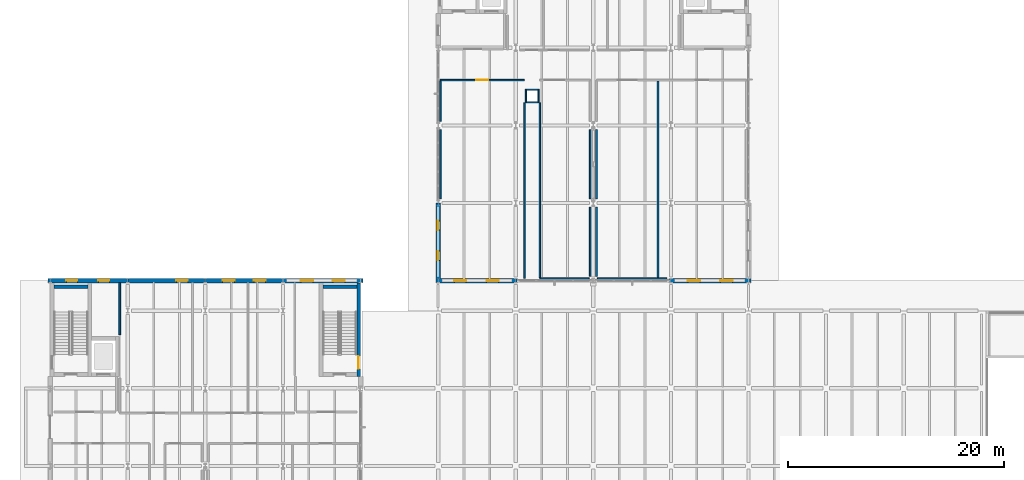
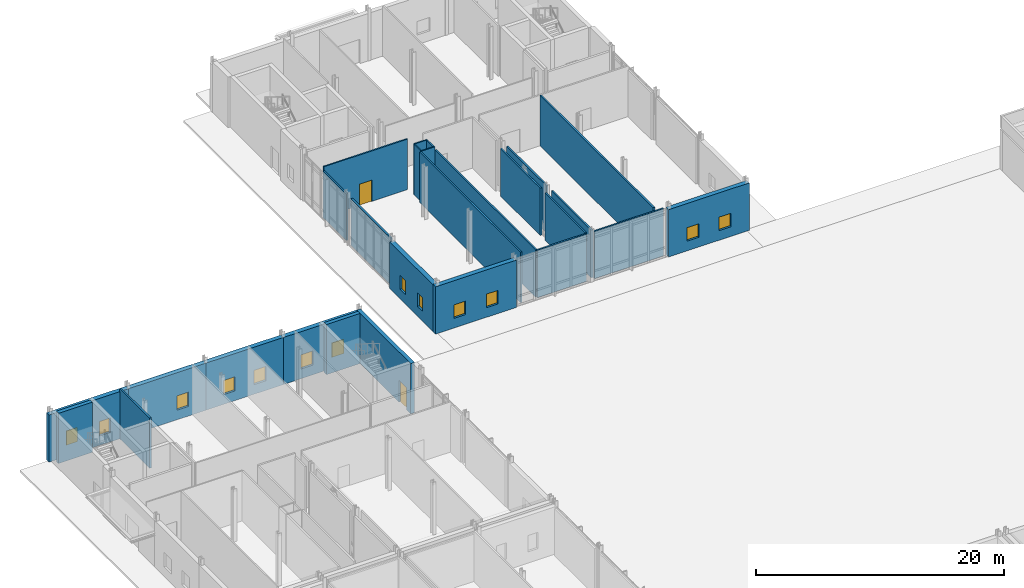
# One storey, part 67 of 89: 27 walls, 13 windows, 2 doors, 15 openings.
"""IFC4 building model written with IfcOpenShell, lengths in metres."""

from ifc_helpers import new_model, si_unit, direction, frame, frame_2d, origin, place, context, subcontext, project, spatial, rectangle, extrude, material, layer, layer_set, type_object, element, fill, save


model = new_model("IFC4")

# Units and contexts
model_context = context("Model", 3, precision=1e-05, world=origin(), true_north=direction((0.0, 1.0)))
body_context = subcontext(model_context, "Body", "Model", "MODEL_VIEW")
ifc_project = project(units=[si_unit("LENGTHUNIT", "METRE"), si_unit("AREAUNIT", "SQUARE_METRE"), si_unit("VOLUMEUNIT", "CUBIC_METRE"), si_unit("PLANEANGLEUNIT", "RADIAN"), si_unit("MASSUNIT", "GRAM", prefix="KILO")], contexts=[model_context])

# Site, building, storey
site_placement = place(None, origin())
site = spatial("IfcSite", under=ifc_project, at=site_placement, CompositionType="ELEMENT")
building_placement = place(site_placement, origin())
building = spatial("IfcBuilding", under=site, at=building_placement, Name="Zarrinpeak Specialist Clinic", CompositionType="ELEMENT")
storey_placement = place(building_placement, origin())
storey = spatial("IfcBuildingStorey", under=building, at=storey_placement, Name="L00", CompositionType="ELEMENT", Elevation=0.0)

# Walls
ifc_material_1 = material(Name="Concrete C40/50", Category="concrete")
ifc_layer_1 = layer(ifc_material_1, 0.35009765625)
ifc_layer_set_1 = layer_set([ifc_layer_1], Name="Concrete C40/50")
wall_type_1 = type_object("IfcWallType", Name="WL-CR350", PredefinedType="SHEAR", material=ifc_layer_set_1)
for number, where, z_axis, x_axis, name in (
    (1, (0.35009765625, 81.425048828125, 0.0), (0.0, 0.0, 1.0), (1.0, 0.0, 0.0), "L00 Core C09 Shear Wall STN"),
    (2, (25.300048828125, 81.425048828125, 0.0), (0.0, 0.0, 1.0), (1.0, 0.0, 0.0), "L00 Core C10 Shear Wall STN"),
):
    element("IfcWall", number, at=place(storey_placement, frame(where, z_axis=z_axis, x_axis=x_axis)), inside=storey, type_object=wall_type_1, Name=name, PredefinedType="SHEAR", context=body_context, shape_type="SweptSolid", body=[
        extrude(rectangle(XDim=3.14990234375, YDim=0.35009765625, at=frame_2d((1.574951171875, 0.0))), origin(), (0.0, 0.0, 1.0), 4.93994140625),
    ])

# Wall, opening, door
wall_1_placement = place(storey_placement, frame((28.625, 73.10009765625, 0.0), z_axis=(0.0, 0.0, 1.0), x_axis=(0.0, 1.0, 0.0)))
wall_1 = element("IfcWall", 3, at=wall_1_placement, inside=storey, type_object=wall_type_1, Name="L00 Core C10 Shear Wall STE", PredefinedType="SHEAR", context=body_context, shape_type="SweptSolid", body=[
    extrude(rectangle(XDim=8.68994140625, YDim=0.35009765625, at=frame_2d((4.344970703125, 0.0))), origin(), (0.0, 0.0, 1.0), 4.93994140625),
])
opening_1_placement = place(wall_1_placement, frame((0.699951171875, 0.0, 0.0)))
opening_1 = element("IfcOpeningElement", 4, at=opening_1_placement, cuts=wall_1, Name="Opening D-EX2", PredefinedType="OPENING", context=body_context, shape_type="SweptSolid", body=[
    extrude(rectangle(XDim=1.199951171875, YDim=2.14990234375, at=frame_2d((0.60009765625, 1.074951171875))), frame((0.0, 0.18505859375, 0.0), z_axis=(0.0, -1.0, 0.0), x_axis=(1.0, 0.0, 0.0)), (0.0, 0.0, 1.0), 0.3701171875),
])
ifc_material_2 = material(Name="Powder-Coated Steel and Safety Glazing", Category="steel")
door_type_1 = type_object("IfcDoorType", Name="DR-EX120", OperationType="SINGLE_SWING_LEFT", PredefinedType="DOOR", material=ifc_material_2)
door_1_placement = place(opening_1_placement, frame((1.199951171875, 0.0, 0.0), z_axis=(0.0, 0.0, 1.0), x_axis=(-1.0, 0.0, 0.0)))
door_1 = element("IfcDoor", 5, at=door_1_placement, inside=storey, type_object=door_type_1, Name="L00 Protected Stair ST-10 Final Exit Discharge Door ED-10", OperationType="SINGLE_SWING_LEFT", OverallHeight=2.14990234375, OverallWidth=1.199951171875, PredefinedType="DOOR", context=body_context, shape_type="SweptSolid", body=[
    extrude(rectangle(XDim=1.199951171875, YDim=2.14990234375, at=frame_2d((0.60009765625, 1.074951171875))), frame((0.0, 0.02490234375, 0.0), z_axis=(0.0, -1.0, 0.0), x_axis=(1.0, 0.0, 0.0)), (0.0, 0.0, 1.0), 0.050048828125),
])
fill(opening_1, door_1)

# Wall, openings, windows
ifc_material_3 = material(Name="Precast concrete C40/50", Category="concrete")
ifc_layer_2 = layer(ifc_material_3, 0.419921875)
ifc_layer_set_2 = layer_set([ifc_layer_2], Name="Precast concrete C40/50")
wall_type_2 = type_object("IfcWallType", Name="WL-EW420", PredefinedType="STANDARD", material=ifc_layer_set_2)
wall_2_placement = place(storey_placement, frame((7.199951171875, 82.0, 0.0), z_axis=(0.0, 0.0, 1.0), x_axis=(-1.0, 0.0, 0.0)))
wall_2 = element("IfcWall", 6, at=wall_2_placement, inside=storey, type_object=wall_type_2, Name="L00 V5 Exterior GRC Wall EW-L00-V5-0215", PredefinedType="STANDARD", context=body_context, shape_type="SweptSolid", body=[
    extrude(rectangle(XDim=7.409912109375, YDim=0.419921875, at=frame_2d((3.705078125, 0.0))), origin(), (0.0, 0.0, 1.0), 4.635009765625),
])
opening_2_placement = place(wall_2_placement, frame((1.7080078125, 0.0, 0.949951171875)))
opening_2 = element("IfcOpeningElement", 7, at=opening_2_placement, cuts=wall_2, Name="Opening WS-58", PredefinedType="OPENING", context=body_context, shape_type="SweptSolid", body=[
    extrude(rectangle(XDim=1.030029296875, YDim=1.404052734375, at=frame_2d((0.51513671875, 0.7021484375))), frame((0.0, 0.219970703125, 0.0), z_axis=(0.0, -1.0, 0.0), x_axis=(1.0, 0.0, 0.0)), (0.0, 0.0, 1.0), 0.43994140625),
])
opening_3_placement = place(wall_2_placement, frame((4.672119140625, 0.0, 0.949951171875)))
opening_3 = element("IfcOpeningElement", 8, at=opening_3_placement, cuts=wall_2, Name="Opening WS-58", PredefinedType="OPENING", context=body_context, shape_type="SweptSolid", body=[
    extrude(rectangle(XDim=1.030029296875, YDim=1.404052734375, at=frame_2d((0.51513671875, 0.7021484375))), frame((0.0, 0.219970703125, 0.0), z_axis=(0.0, -1.0, 0.0), x_axis=(1.0, 0.0, 0.0)), (0.0, 0.0, 1.0), 0.43994140625),
])
ifc_material_4 = material(Name="Thermally Broken Aluminium and Low-E Glazing", Category="aluminium")
window_type_1 = type_object("IfcWindowType", Name="WN-SP58", PartitioningType="SINGLE_PANEL", PredefinedType="WINDOW", material=ifc_material_4)
window_1_placement = place(opening_2_placement, origin())
window_1 = element("IfcWindow", 9, at=window_1_placement, inside=storey, type_object=window_type_1, Name="L00 Modular Facade Window WN-L00-0249", OverallHeight=1.404052734375, OverallWidth=1.030029296875, PartitioningType="SINGLE_PANEL", PredefinedType="WINDOW", context=body_context, shape_type="SweptSolid", body=[
    extrude(rectangle(XDim=1.030029296875, YDim=1.404052734375, at=frame_2d((0.51513671875, 0.7021484375))), frame((0.0, 0.030029296875, 0.0), z_axis=(0.0, -1.0, 0.0), x_axis=(1.0, 0.0, 0.0)), (0.0, 0.0, 1.0), 0.06005859375),
])
fill(opening_2, window_1)
window_2_placement = place(opening_3_placement, origin())
window_2 = element("IfcWindow", 10, at=window_2_placement, inside=storey, type_object=window_type_1, Name="L00 Modular Facade Window WN-L00-0250", OverallHeight=1.404052734375, OverallWidth=1.030029296875, PartitioningType="SINGLE_PANEL", PredefinedType="WINDOW", context=body_context, shape_type="SweptSolid", body=[
    extrude(rectangle(XDim=1.030029296875, YDim=1.404052734375, at=frame_2d((0.51513671875, 0.7021484375))), frame((0.0, 0.030029296875, 0.0), z_axis=(0.0, -1.0, 0.0), x_axis=(1.0, 0.0, 0.0)), (0.0, 0.0, 1.0), 0.06005859375),
])
fill(opening_3, window_2)

# Wall, opening, window
wall_3_placement = place(storey_placement, frame((14.39990234375, 82.0, 0.0), z_axis=(0.0, 0.0, 1.0), x_axis=(-1.0, 0.0, 0.0)))
wall_3 = element("IfcWall", 11, at=wall_3_placement, inside=storey, type_object=wall_type_2, Name="L00 V5 Exterior GRC Wall EW-L00-V5-0216", PredefinedType="STANDARD", context=body_context, shape_type="SweptSolid", body=[
    extrude(rectangle(XDim=7.199951171875, YDim=0.419921875, at=frame_2d((3.60009765625, 0.0))), origin(), (0.0, 0.0, 1.0), 4.635009765625),
])
opening_4_placement = place(wall_3_placement, frame((1.6279296875, 0.0, 0.949951171875)))
opening_4 = element("IfcOpeningElement", 12, at=opening_4_placement, cuts=wall_3, Name="Opening WS-59", PredefinedType="OPENING", context=body_context, shape_type="SweptSolid", body=[
    extrude(rectangle(XDim=1.06396484375, YDim=1.404052734375, at=frame_2d((0.531982421875, 0.7021484375))), frame((0.0, 0.219970703125, 0.0), z_axis=(0.0, -1.0, 0.0), x_axis=(1.0, 0.0, 0.0)), (0.0, 0.0, 1.0), 0.43994140625),
])
window_type_2 = type_object("IfcWindowType", Name="WN-SP59", PartitioningType="SINGLE_PANEL", PredefinedType="WINDOW", material=ifc_material_4)
window_3_placement = place(opening_4_placement, origin())
window_3 = element("IfcWindow", 13, at=window_3_placement, inside=storey, type_object=window_type_2, Name="L00 Modular Facade Window WN-L00-0251", OverallHeight=1.404052734375, OverallWidth=1.06396484375, PartitioningType="SINGLE_PANEL", PredefinedType="WINDOW", context=body_context, shape_type="SweptSolid", body=[
    extrude(rectangle(XDim=1.06396484375, YDim=1.404052734375, at=frame_2d((0.531982421875, 0.7021484375))), frame((0.0, 0.030029296875, 0.0), z_axis=(0.0, -1.0, 0.0), x_axis=(1.0, 0.0, 0.0)), (0.0, 0.0, 1.0), 0.06005859375),
])
fill(opening_4, window_3)

# Wall, openings, windows
wall_4_placement = place(storey_placement, frame((21.60009765625, 82.0, 0.0), z_axis=(0.0, 0.0, 1.0), x_axis=(-1.0, 0.0, 0.0)))
wall_4 = element("IfcWall", 14, at=wall_4_placement, inside=storey, type_object=wall_type_2, Name="L00 V5 Exterior GRC Wall EW-L00-V5-0217", PredefinedType="STANDARD", context=body_context, shape_type="SweptSolid", body=[
    extrude(rectangle(XDim=7.2001953125, YDim=0.419921875, at=frame_2d((3.60009765625, 0.0))), origin(), (0.0, 0.0, 1.0), 4.635009765625),
])
opening_5_placement = place(wall_4_placement, frame((1.611083984375, 0.0, 0.949951171875)))
opening_5 = element("IfcOpeningElement", 15, at=opening_5_placement, cuts=wall_4, Name="Opening WS-60", PredefinedType="OPENING", context=body_context, shape_type="SweptSolid", body=[
    extrude(rectangle(XDim=1.097900390625, YDim=1.404052734375, at=frame_2d((0.548828125, 0.7021484375))), frame((0.0, 0.219970703125, 0.0), z_axis=(0.0, -1.0, 0.0), x_axis=(1.0, 0.0, 0.0)), (0.0, 0.0, 1.0), 0.43994140625),
])
opening_6_placement = place(wall_4_placement, frame((4.490966796875, 0.0, 0.949951171875)))
opening_6 = element("IfcOpeningElement", 16, at=opening_6_placement, cuts=wall_4, Name="Opening WS-60", PredefinedType="OPENING", context=body_context, shape_type="SweptSolid", body=[
    extrude(rectangle(XDim=1.097900390625, YDim=1.404052734375, at=frame_2d((0.548828125, 0.7021484375))), frame((0.0, 0.219970703125, 0.0), z_axis=(0.0, -1.0, 0.0), x_axis=(1.0, 0.0, 0.0)), (0.0, 0.0, 1.0), 0.43994140625),
])
window_type_3 = type_object("IfcWindowType", Name="WN-SP60", PartitioningType="SINGLE_PANEL", PredefinedType="WINDOW", material=ifc_material_4)
window_4_placement = place(opening_5_placement, origin())
window_4 = element("IfcWindow", 17, at=window_4_placement, inside=storey, type_object=window_type_3, Name="L00 Modular Facade Window WN-L00-0252", OverallHeight=1.404052734375, OverallWidth=1.097900390625, PartitioningType="SINGLE_PANEL", PredefinedType="WINDOW", context=body_context, shape_type="SweptSolid", body=[
    extrude(rectangle(XDim=1.097900390625, YDim=1.404052734375, at=frame_2d((0.548828125, 0.7021484375))), frame((0.0, 0.030029296875, 0.0), z_axis=(0.0, -1.0, 0.0), x_axis=(1.0, 0.0, 0.0)), (0.0, 0.0, 1.0), 0.06005859375),
])
fill(opening_5, window_4)
window_5_placement = place(opening_6_placement, origin())
window_5 = element("IfcWindow", 18, at=window_5_placement, inside=storey, type_object=window_type_3, Name="L00 Modular Facade Window WN-L00-0253", OverallHeight=1.404052734375, OverallWidth=1.097900390625, PartitioningType="SINGLE_PANEL", PredefinedType="WINDOW", context=body_context, shape_type="SweptSolid", body=[
    extrude(rectangle(XDim=1.097900390625, YDim=1.404052734375, at=frame_2d((0.548828125, 0.7021484375))), frame((0.0, 0.030029296875, 0.0), z_axis=(0.0, -1.0, 0.0), x_axis=(1.0, 0.0, 0.0)), (0.0, 0.0, 1.0), 0.06005859375),
])
fill(opening_6, window_5)

wall_5_placement = place(storey_placement, frame((29.010009765625, 82.0, 0.0), z_axis=(0.0, 0.0, 1.0), x_axis=(-1.0, 0.0, 0.0)))
wall_5 = element("IfcWall", 19, at=wall_5_placement, inside=storey, type_object=wall_type_2, Name="L00 V5 Exterior GRC Wall EW-L00-V5-0218", PredefinedType="STANDARD", context=body_context, shape_type="SweptSolid", body=[
    extrude(rectangle(XDim=7.409912109375, YDim=0.419921875, at=frame_2d((3.705078125, 0.0))), origin(), (0.0, 0.0, 1.0), 4.635009765625),
])
opening_7_placement = place(wall_5_placement, frame((1.656982421875, 0.0, 0.949951171875)))
opening_7 = element("IfcOpeningElement", 20, at=opening_7_placement, cuts=wall_5, Name="Opening WS-61", PredefinedType="OPENING", context=body_context, shape_type="SweptSolid", body=[
    extrude(rectangle(XDim=1.132080078125, YDim=1.404052734375, at=frame_2d((0.56591796875, 0.7021484375))), frame((0.0, 0.219970703125, 0.0), z_axis=(0.0, -1.0, 0.0), x_axis=(1.0, 0.0, 0.0)), (0.0, 0.0, 1.0), 0.43994140625),
])
opening_8_placement = place(wall_5_placement, frame((4.62109375, 0.0, 0.949951171875)))
opening_8 = element("IfcOpeningElement", 21, at=opening_8_placement, cuts=wall_5, Name="Opening WS-61", PredefinedType="OPENING", context=body_context, shape_type="SweptSolid", body=[
    extrude(rectangle(XDim=1.132080078125, YDim=1.404052734375, at=frame_2d((0.56591796875, 0.7021484375))), frame((0.0, 0.219970703125, 0.0), z_axis=(0.0, -1.0, 0.0), x_axis=(1.0, 0.0, 0.0)), (0.0, 0.0, 1.0), 0.43994140625),
])
window_type_4 = type_object("IfcWindowType", Name="WN-SP61", PartitioningType="SINGLE_PANEL", PredefinedType="WINDOW", material=ifc_material_4)
window_6_placement = place(opening_7_placement, origin())
window_6 = element("IfcWindow", 22, at=window_6_placement, inside=storey, type_object=window_type_4, Name="L00 Modular Facade Window WN-L00-0254", OverallHeight=1.404052734375, OverallWidth=1.132080078125, PartitioningType="SINGLE_PANEL", PredefinedType="WINDOW", context=body_context, shape_type="SweptSolid", body=[
    extrude(rectangle(XDim=1.132080078125, YDim=1.404052734375, at=frame_2d((0.56591796875, 0.7021484375))), frame((0.0, 0.030029296875, 0.0), z_axis=(0.0, -1.0, 0.0), x_axis=(1.0, 0.0, 0.0)), (0.0, 0.0, 1.0), 0.06005859375),
])
fill(opening_7, window_6)
window_7_placement = place(opening_8_placement, origin())
window_7 = element("IfcWindow", 23, at=window_7_placement, inside=storey, type_object=window_type_4, Name="L00 Modular Facade Window WN-L00-0255", OverallHeight=1.404052734375, OverallWidth=1.132080078125, PartitioningType="SINGLE_PANEL", PredefinedType="WINDOW", context=body_context, shape_type="SweptSolid", body=[
    extrude(rectangle(XDim=1.132080078125, YDim=1.404052734375, at=frame_2d((0.56591796875, 0.7021484375))), frame((0.0, 0.030029296875, 0.0), z_axis=(0.0, -1.0, 0.0), x_axis=(1.0, 0.0, 0.0)), (0.0, 0.0, 1.0), 0.06005859375),
])
fill(opening_8, window_7)

wall_6_placement = place(storey_placement, frame((35.7900390625, 82.0, 0.0), z_axis=(0.0, 0.0, 1.0), x_axis=(1.0, 0.0, 0.0)))
wall_6 = element("IfcWall", 24, at=wall_6_placement, inside=storey, type_object=wall_type_2, Name="L00 V6 Exterior GRC Wall EW-L00-V6-0265", PredefinedType="STANDARD", context=body_context, shape_type="SweptSolid", body=[
    extrude(rectangle(XDim=7.52001953125, YDim=0.419921875, at=frame_2d((3.760009765625, 0.0))), origin(), (0.0, 0.0, 1.0), 4.6650390625),
])
opening_9_placement = place(wall_6_placement, frame((1.70703125, 0.0, 0.949951171875)))
opening_9 = element("IfcOpeningElement", 25, at=opening_9_placement, cuts=wall_6, Name="Opening WS-34", PredefinedType="OPENING", context=body_context, shape_type="SweptSolid", body=[
    extrude(rectangle(XDim=1.097900390625, YDim=1.33203125, at=frame_2d((0.548828125, 0.666015625))), frame((0.0, 0.219970703125, 0.0), z_axis=(0.0, -1.0, 0.0), x_axis=(1.0, 0.0, 0.0)), (0.0, 0.0, 1.0), 0.43994140625),
])
opening_10_placement = place(wall_6_placement, frame((4.715087890625, 0.0, 0.949951171875)))
opening_10 = element("IfcOpeningElement", 26, at=opening_10_placement, cuts=wall_6, Name="Opening WS-34", PredefinedType="OPENING", context=body_context, shape_type="SweptSolid", body=[
    extrude(rectangle(XDim=1.097900390625, YDim=1.33203125, at=frame_2d((0.548828125, 0.666015625))), frame((0.0, 0.219970703125, 0.0), z_axis=(0.0, -1.0, 0.0), x_axis=(1.0, 0.0, 0.0)), (0.0, 0.0, 1.0), 0.43994140625),
])
window_type_5 = type_object("IfcWindowType", Name="WN-SP34", PartitioningType="SINGLE_PANEL", PredefinedType="WINDOW", material=ifc_material_4)
window_8_placement = place(opening_9_placement, origin())
window_8 = element("IfcWindow", 27, at=window_8_placement, inside=storey, type_object=window_type_5, Name="L00 Modular Facade Window WN-L00-0295", OverallHeight=1.33203125, OverallWidth=1.097900390625, PartitioningType="SINGLE_PANEL", PredefinedType="WINDOW", context=body_context, shape_type="SweptSolid", body=[
    extrude(rectangle(XDim=1.097900390625, YDim=1.33203125, at=frame_2d((0.548828125, 0.666015625))), frame((0.0, 0.030029296875, 0.0), z_axis=(0.0, -1.0, 0.0), x_axis=(1.0, 0.0, 0.0)), (0.0, 0.0, 1.0), 0.06005859375),
])
fill(opening_9, window_8)
window_9_placement = place(opening_10_placement, origin())
window_9 = element("IfcWindow", 28, at=window_9_placement, inside=storey, type_object=window_type_5, Name="L00 Modular Facade Window WN-L00-0296", OverallHeight=1.33203125, OverallWidth=1.097900390625, PartitioningType="SINGLE_PANEL", PredefinedType="WINDOW", context=body_context, shape_type="SweptSolid", body=[
    extrude(rectangle(XDim=1.097900390625, YDim=1.33203125, at=frame_2d((0.548828125, 0.666015625))), frame((0.0, 0.030029296875, 0.0), z_axis=(0.0, -1.0, 0.0), x_axis=(1.0, 0.0, 0.0)), (0.0, 0.0, 1.0), 0.06005859375),
])
fill(opening_10, window_9)

wall_7_placement = place(storey_placement, frame((57.489990234375, 82.0, 0.0), z_axis=(0.0, 0.0, 1.0), x_axis=(1.0, 0.0, 0.0)))
wall_7 = element("IfcWall", 29, at=wall_7_placement, inside=storey, type_object=wall_type_2, Name="L00 V6 Exterior GRC Wall EW-L00-V6-0266", PredefinedType="STANDARD", context=body_context, shape_type="SweptSolid", body=[
    extrude(rectangle(XDim=7.52001953125, YDim=0.419921875, at=frame_2d((3.760009765625, 0.0))), origin(), (0.0, 0.0, 1.0), 4.6650390625),
])
opening_11_placement = place(wall_7_placement, frame((1.68994140625, 0.0, 0.949951171875)))
opening_11 = element("IfcOpeningElement", 30, at=opening_11_placement, cuts=wall_7, Name="Opening WS-35", PredefinedType="OPENING", context=body_context, shape_type="SweptSolid", body=[
    extrude(rectangle(XDim=1.132080078125, YDim=1.33203125, at=frame_2d((0.56591796875, 0.666015625))), frame((0.0, 0.219970703125, 0.0), z_axis=(0.0, -1.0, 0.0), x_axis=(1.0, 0.0, 0.0)), (0.0, 0.0, 1.0), 0.43994140625),
])
opening_12_placement = place(wall_7_placement, frame((4.697998046875, 0.0, 0.949951171875)))
opening_12 = element("IfcOpeningElement", 31, at=opening_12_placement, cuts=wall_7, Name="Opening WS-35", PredefinedType="OPENING", context=body_context, shape_type="SweptSolid", body=[
    extrude(rectangle(XDim=1.132080078125, YDim=1.33203125, at=frame_2d((0.56591796875, 0.666015625))), frame((0.0, 0.219970703125, 0.0), z_axis=(0.0, -1.0, 0.0), x_axis=(1.0, 0.0, 0.0)), (0.0, 0.0, 1.0), 0.43994140625),
])
window_type_6 = type_object("IfcWindowType", Name="WN-SP35", PartitioningType="SINGLE_PANEL", PredefinedType="WINDOW", material=ifc_material_4)
window_10_placement = place(opening_11_placement, origin())
window_10 = element("IfcWindow", 32, at=window_10_placement, inside=storey, type_object=window_type_6, Name="L00 Modular Facade Window WN-L00-0297", OverallHeight=1.33203125, OverallWidth=1.132080078125, PartitioningType="SINGLE_PANEL", PredefinedType="WINDOW", context=body_context, shape_type="SweptSolid", body=[
    extrude(rectangle(XDim=1.132080078125, YDim=1.33203125, at=frame_2d((0.56591796875, 0.666015625))), frame((0.0, 0.030029296875, 0.0), z_axis=(0.0, -1.0, 0.0), x_axis=(1.0, 0.0, 0.0)), (0.0, 0.0, 1.0), 0.06005859375),
])
fill(opening_11, window_10)
window_11_placement = place(opening_12_placement, origin())
window_11 = element("IfcWindow", 33, at=window_11_placement, inside=storey, type_object=window_type_6, Name="L00 Modular Facade Window WN-L00-0298", OverallHeight=1.33203125, OverallWidth=1.132080078125, PartitioningType="SINGLE_PANEL", PredefinedType="WINDOW", context=body_context, shape_type="SweptSolid", body=[
    extrude(rectangle(XDim=1.132080078125, YDim=1.33203125, at=frame_2d((0.56591796875, 0.666015625))), frame((0.0, 0.030029296875, 0.0), z_axis=(0.0, -1.0, 0.0), x_axis=(1.0, 0.0, 0.0)), (0.0, 0.0, 1.0), 0.06005859375),
])
fill(opening_12, window_11)

wall_8_placement = place(storey_placement, frame((36.0, 89.199951171875, 0.0), z_axis=(0.0, 0.0, 1.0), x_axis=(0.0, -1.0, 0.0)))
wall_8 = element("IfcWall", 34, at=wall_8_placement, inside=storey, type_object=wall_type_2, Name="L00 V6 Exterior GRC Wall EW-L00-V6-0271", PredefinedType="STANDARD", context=body_context, shape_type="SweptSolid", body=[
    extrude(rectangle(XDim=6.989990234375, YDim=0.419921875, at=frame_2d((3.4951171875, 0.0))), origin(), (0.0, 0.0, 1.0), 4.594970703125),
])
opening_13_placement = place(wall_8_placement, frame((1.6669921875, 0.0, 0.949951171875)))
opening_13 = element("IfcOpeningElement", 35, at=opening_13_placement, cuts=wall_8, Name="Opening WS-40", PredefinedType="OPENING", context=body_context, shape_type="SweptSolid", body=[
    extrude(rectangle(XDim=0.860107421875, YDim=1.367919921875, at=frame_2d((0.43017578125, 0.68408203125))), frame((0.0, 0.219970703125, 0.0), z_axis=(0.0, -1.0, 0.0), x_axis=(1.0, 0.0, 0.0)), (0.0, 0.0, 1.0), 0.43994140625),
])
opening_14_placement = place(wall_8_placement, frame((4.462890625, 0.0, 0.949951171875)))
opening_14 = element("IfcOpeningElement", 36, at=opening_14_placement, cuts=wall_8, Name="Opening WS-40", PredefinedType="OPENING", context=body_context, shape_type="SweptSolid", body=[
    extrude(rectangle(XDim=0.860107421875, YDim=1.367919921875, at=frame_2d((0.43017578125, 0.68408203125))), frame((0.0, 0.219970703125, 0.0), z_axis=(0.0, -1.0, 0.0), x_axis=(1.0, 0.0, 0.0)), (0.0, 0.0, 1.0), 0.43994140625),
])
window_type_7 = type_object("IfcWindowType", Name="WN-SP40", PartitioningType="SINGLE_PANEL", PredefinedType="WINDOW", material=ifc_material_4)
window_12_placement = place(opening_13_placement, origin())
window_12 = element("IfcWindow", 37, at=window_12_placement, inside=storey, type_object=window_type_7, Name="L00 Modular Facade Window WN-L00-0305", OverallHeight=1.367919921875, OverallWidth=0.860107421875, PartitioningType="SINGLE_PANEL", PredefinedType="WINDOW", context=body_context, shape_type="SweptSolid", body=[
    extrude(rectangle(XDim=0.860107421875, YDim=1.367919921875, at=frame_2d((0.43017578125, 0.68408203125))), frame((0.0, 0.030029296875, 0.0), z_axis=(0.0, -1.0, 0.0), x_axis=(1.0, 0.0, 0.0)), (0.0, 0.0, 1.0), 0.06005859375),
])
fill(opening_13, window_12)
window_13_placement = place(opening_14_placement, origin())
window_13 = element("IfcWindow", 38, at=window_13_placement, inside=storey, type_object=window_type_7, Name="L00 Modular Facade Window WN-L00-0306", OverallHeight=1.367919921875, OverallWidth=0.860107421875, PartitioningType="SINGLE_PANEL", PredefinedType="WINDOW", context=body_context, shape_type="SweptSolid", body=[
    extrude(rectangle(XDim=0.860107421875, YDim=1.367919921875, at=frame_2d((0.43017578125, 0.68408203125))), frame((0.0, 0.030029296875, 0.0), z_axis=(0.0, -1.0, 0.0), x_axis=(1.0, 0.0, 0.0)), (0.0, 0.0, 1.0), 0.06005859375),
])
fill(opening_14, window_13)

# Walls
ifc_material_5 = material(Name="Sanitary Service Chase Plumbing Wall", Category="gypsum")
ifc_layer_3 = layer(ifc_material_5, 0.110107421875)
ifc_layer_set_3 = layer_set([ifc_layer_3], Name="Sanitary Service Chase Plumbing Wall")
wall_type_3 = type_object("IfcWallType", Name="WL-IW110", PredefinedType="PARTITIONING", material=ifc_layer_set_3)
for number, where, z_axis, x_axis, name in (
    (39, (44.090087890625, 98.544921875, 0.0), (0.0, 0.0, 1.0), (1.0, 0.0, 0.0), "L00 V6 Enclosed MEP Service Riser Wall S"),
    (40, (44.090087890625, 99.705078125, 0.0), (0.0, 0.0, 1.0), (1.0, 0.0, 0.0), "L00 V6 Enclosed MEP Service Riser Wall N"),
):
    element("IfcWall", number, at=place(storey_placement, frame(where, z_axis=z_axis, x_axis=x_axis)), inside=storey, type_object=wall_type_3, Name=name, PredefinedType="PARTITIONING", context=body_context, shape_type="SweptSolid", body=[
        extrude(rectangle(XDim=1.27001953125, YDim=0.110107421875, at=frame_2d((0.635009765625, 0.0))), origin(), (0.0, 0.0, 1.0), 4.969970703125),
    ])
for number, where, z_axis, x_axis, name in (
    (41, (44.14501953125, 98.60009765625, 0.0), (0.0, 0.0, 1.0), (0.0, 1.0, 0.0), "L00 V6 Enclosed MEP Service Riser Wall W"),
    (42, (45.304931640625, 98.60009765625, 0.0), (0.0, 0.0, 1.0), (0.0, 1.0, 0.0), "L00 V6 Enclosed MEP Service Riser Wall E"),
):
    element("IfcWall", number, at=place(storey_placement, frame(where, z_axis=z_axis, x_axis=x_axis)), inside=storey, type_object=wall_type_3, Name=name, PredefinedType="PARTITIONING", context=body_context, shape_type="SweptSolid", body=[
        extrude(rectangle(XDim=1.0498046875, YDim=0.110107421875, at=frame_2d((0.52490234375, 0.0))), origin(), (0.0, 0.0, 1.0), 4.969970703125),
    ])

# Wall, opening, door
ifc_material_6 = material(Name="Standard Drywall Partition", Category="gypsum")
ifc_layer_4 = layer(ifc_material_6, 0.135009765625)
ifc_layer_set_4 = layer_set([ifc_layer_4], Name="Standard Drywall Partition")
wall_type_4 = type_object("IfcWallType", Name="WL-IW135", PredefinedType="PARTITIONING", material=ifc_layer_set_4)
wall_9_placement = place(storey_placement, frame((36.199951171875, 100.60009765625, 0.0), z_axis=(0.0, 0.0, 1.0), x_axis=(1.0, 0.0, 0.0)))
wall_9 = element("IfcWall", 43, at=wall_9_placement, inside=storey, type_object=wall_type_4, Name="L00 Specialist Consultation Room 1 Partition", PredefinedType="PARTITIONING", context=body_context, shape_type="SweptSolid", body=[
    extrude(rectangle(XDim=7.800048828125, YDim=0.135009765625, at=frame_2d((3.89990234375, 0.0))), origin(), (0.0, 0.0, 1.0), 4.969970703125),
])
opening_15_placement = place(wall_9_placement, frame((3.330078125, 0.0, 0.0)))
opening_15 = element("IfcOpeningElement", 44, at=opening_15_placement, cuts=wall_9, Name="Opening DS-37", PredefinedType="OPENING", context=body_context, shape_type="SweptSolid", body=[
    extrude(rectangle(XDim=1.139892578125, YDim=2.095947265625, at=frame_2d((0.56982421875, 1.0478515625))), frame((0.0, 0.07763671875, 0.0), z_axis=(0.0, -1.0, 0.0), x_axis=(1.0, 0.0, 0.0)), (0.0, 0.0, 1.0), 0.155029296875),
])
ifc_material_7 = material(Name="Powder-Coated Galvanised Steel", Category="steel")
door_type_2 = type_object("IfcDoorType", Name="DR-SP37", OperationType="SINGLE_SWING_RIGHT", PredefinedType="DOOR", material=ifc_material_7)
door_2_placement = place(opening_15_placement, origin())
door_2 = element("IfcDoor", 45, at=door_2_placement, inside=storey, type_object=door_type_2, Name="L00 Specialist Consultation Room 1 Door", OperationType="SINGLE_SWING_RIGHT", OverallHeight=2.095947265625, OverallWidth=1.139892578125, PredefinedType="DOOR", context=body_context, shape_type="SweptSolid", body=[
    extrude(rectangle(XDim=1.139892578125, YDim=2.095947265625, at=frame_2d((0.56982421875, 1.0478515625))), frame((0.0, 0.02490234375, 0.0), z_axis=(0.0, -1.0, 0.0), x_axis=(1.0, 0.0, 0.0)), (0.0, 0.0, 1.0), 0.050048828125),
])
fill(opening_15, door_2)

# Walls
ifc_material_8 = material(Name="Acoustic Consultation Stud Partition", Category="gypsum")
ifc_layer_5 = layer(ifc_material_8, 0.14208984375)
ifc_layer_set_5 = layer_set([ifc_layer_5], Name="Acoustic Consultation Stud Partition")
wall_type_5 = type_object("IfcWallType", Name="WL-IW142", PredefinedType="PARTITIONING", material=ifc_layer_set_5)
wall_10_placement = place(storey_placement, frame((50.780029296875, 82.199951171875, 0.0), z_axis=(0.0, 0.0, 1.0), x_axis=(1.0, 0.0, 0.0)))
element("IfcWall", 46, at=wall_10_placement, inside=storey, type_object=wall_type_5, Name="L00 Medical Simulation Skills Room Partition", PredefinedType="PARTITIONING", context=body_context, shape_type="SweptSolid", body=[
    extrude(rectangle(XDim=6.43994140625, YDim=0.14208984375, at=frame_2d((3.219970703125, 0.0))), origin(), (0.0, 0.0, 1.0), 4.6650390625),
])
wall_11_placement = place(storey_placement, frame((45.449951171875, 82.27490234375, 0.0), z_axis=(0.0, 0.0, 1.0), x_axis=(0.0, 1.0, 0.0)))
element("IfcWall", 47, at=wall_11_placement, inside=storey, type_object=wall_type_5, Name="L00 Clinical Auditorium Lecture Hall Dividing Partition", PredefinedType="PARTITIONING", context=body_context, shape_type="SweptSolid", body=[
    extrude(rectangle(XDim=16.215087890625, YDim=0.14208984375, at=frame_2d((8.107421875, 0.0))), origin(), (0.0, 0.0, 1.0), 4.655029296875),
])
wall_12_placement = place(storey_placement, frame((50.10009765625, 89.580078125, 0.0), z_axis=(0.0, 0.0, 1.0), x_axis=(0.0, 1.0, 0.0)))
element("IfcWall", 48, at=wall_12_placement, inside=storey, type_object=wall_type_5, Name="L00 Clinical Auditorium Lecture Hall Dividing Partition", PredefinedType="PARTITIONING", context=body_context, shape_type="SweptSolid", body=[
    extrude(rectangle(XDim=6.43994140625, YDim=0.14208984375, at=frame_2d((3.219970703125, 0.0))), origin(), (0.0, 0.0, 1.0), 4.6650390625),
])
ifc_material_9 = material(Name="Insulated Clinical Gypsum Stud Partition", Category="gypsum")
ifc_layer_6 = layer(ifc_material_9, 0.14990234375)
ifc_layer_set_6 = layer_set([ifc_layer_6], Name="Insulated Clinical Gypsum Stud Partition")
wall_type_6 = type_object("IfcWallType", Name="WL-IW150", PredefinedType="PARTITIONING", material=ifc_layer_set_6)
wall_13_placement = place(storey_placement, frame((45.449951171875, 82.199951171875, 0.0), z_axis=(0.0, 0.0, 1.0), x_axis=(1.0, 0.0, 0.0)))
element("IfcWall", 49, at=wall_13_placement, inside=storey, type_object=wall_type_6, Name="L00 Clinical Auditorium Lecture Hall Partition", PredefinedType="PARTITIONING", context=body_context, shape_type="SweptSolid", body=[
    extrude(rectangle(XDim=4.570068359375, YDim=0.14990234375, at=frame_2d((2.28515625, 0.0))), origin(), (0.0, 0.0, 1.0), 4.6650390625),
])
wall_14_placement = place(storey_placement, frame((36.199951171875, 96.780029296875, 0.0), z_axis=(0.0, 0.0, 1.0), x_axis=(0.0, 1.0, 0.0)))
element("IfcWall", 50, at=wall_14_placement, inside=storey, type_object=wall_type_6, Name="L00 Specialist Consultation Room 1 Dividing Partition", PredefinedType="PARTITIONING", context=body_context, shape_type="SweptSolid", body=[
    extrude(rectangle(XDim=3.75244140625, YDim=0.14990234375, at=frame_2d((1.876220703125, 0.0))), origin(), (0.0, 0.0, 1.0), 4.594970703125),
])
wall_15_placement = place(storey_placement, frame((44.0, 82.199951171875, 0.0), z_axis=(0.0, 0.0, 1.0), x_axis=(0.0, 1.0, 0.0)))
element("IfcWall", 51, at=wall_15_placement, inside=storey, type_object=wall_type_6, Name="L00 Specialist Consultation Room 1 Dividing Partition", PredefinedType="PARTITIONING", context=body_context, shape_type="SweptSolid", body=[
    extrude(rectangle(XDim=16.2900390625, YDim=0.14990234375, at=frame_2d((8.14501953125, 0.0))), origin(), (0.0, 0.0, 1.0), 4.969970703125),
])
wall_16_placement = place(storey_placement, frame((50.10009765625, 82.3798828125, 0.0), z_axis=(0.0, 0.0, 1.0), x_axis=(0.0, 1.0, 0.0)))
element("IfcWall", 52, at=wall_16_placement, inside=storey, type_object=wall_type_6, Name="L00 Clinical Auditorium Lecture Hall Dividing Partition", PredefinedType="PARTITIONING", context=body_context, shape_type="SweptSolid", body=[
    extrude(rectangle(XDim=6.440185546875, YDim=0.14990234375, at=frame_2d((3.22021484375, 0.0))), origin(), (0.0, 0.0, 1.0), 4.6650390625),
])
wall_17_placement = place(storey_placement, frame((50.699951171875, 89.580078125, 0.0), z_axis=(0.0, 0.0, 1.0), x_axis=(0.0, 1.0, 0.0)))
element("IfcWall", 53, at=wall_17_placement, inside=storey, type_object=wall_type_6, Name="L00 Medical Simulation Skills Room Dividing Partition", PredefinedType="PARTITIONING", context=body_context, shape_type="SweptSolid", body=[
    extrude(rectangle(XDim=6.43994140625, YDim=0.14990234375, at=frame_2d((3.219970703125, 0.0))), origin(), (0.0, 0.0, 1.0), 4.6650390625),
])
ifc_material_10 = material(Name="Lead-Lined X-Ray Diagnostic Partition", Category="gypsum")
ifc_layer_7 = layer(ifc_material_10, 0.157958984375)
ifc_layer_set_7 = layer_set([ifc_layer_7], Name="Lead-Lined X-Ray Diagnostic Partition")
wall_type_7 = type_object("IfcWallType", Name="WL-IW158", PredefinedType="PARTITIONING", material=ifc_layer_set_7)
wall_18_placement = place(storey_placement, frame((6.449951171875, 76.97509765625, 0.0), z_axis=(0.0, 0.0, 1.0), x_axis=(0.0, 1.0, 0.0)))
element("IfcWall", 54, at=wall_18_placement, inside=storey, type_object=wall_type_7, Name="L00 128-Slice CT Scanner Suite Dividing Partition", PredefinedType="PARTITIONING", context=body_context, shape_type="SweptSolid", body=[
    extrude(rectangle(XDim=4.824951171875, YDim=0.157958984375, at=frame_2d((2.41259765625, 0.0))), origin(), (0.0, 0.0, 1.0), 4.93994140625),
])
ifc_material_11 = material(Name="Acoustic Double Gypsum Stud Partition", Category="gypsum")
ifc_layer_8 = layer(ifc_material_11, 0.159912109375)
ifc_layer_set_8 = layer_set([ifc_layer_8], Name="Acoustic Double Gypsum Stud Partition")
wall_type_8 = type_object("IfcWallType", Name="WL-IW160", PredefinedType="PARTITIONING", material=ifc_layer_set_8)
wall_19_placement = place(storey_placement, frame((36.199951171875, 89.580078125, 0.0), z_axis=(0.0, 0.0, 1.0), x_axis=(0.0, 1.0, 0.0)))
element("IfcWall", 55, at=wall_19_placement, inside=storey, type_object=wall_type_8, Name="L00 Specialist Consultation Room 1 Dividing Partition", PredefinedType="PARTITIONING", context=body_context, shape_type="SweptSolid", body=[
    extrude(rectangle(XDim=6.43994140625, YDim=0.159912109375, at=frame_2d((3.219970703125, 0.0))), origin(), (0.0, 0.0, 1.0), 4.594970703125),
])
wall_20_placement = place(storey_placement, frame((50.699951171875, 82.3798828125, 0.0), z_axis=(0.0, 0.0, 1.0), x_axis=(0.0, 1.0, 0.0)))
element("IfcWall", 56, at=wall_20_placement, inside=storey, type_object=wall_type_8, Name="L00 Medical Simulation Skills Room Dividing Partition", PredefinedType="PARTITIONING", context=body_context, shape_type="SweptSolid", body=[
    extrude(rectangle(XDim=6.440185546875, YDim=0.159912109375, at=frame_2d((3.22021484375, 0.0))), origin(), (0.0, 0.0, 1.0), 4.6650390625),
])
wall_21_placement = place(storey_placement, frame((56.39990234375, 82.27099609375, 0.0), z_axis=(0.0, 0.0, 1.0), x_axis=(0.0, 1.0, 0.0)))
element("IfcWall", 57, at=wall_21_placement, inside=storey, type_object=wall_type_8, Name="L00 Medical Simulation Skills Room Dividing Partition", PredefinedType="PARTITIONING", context=body_context, shape_type="SweptSolid", body=[
    extrude(rectangle(XDim=18.258056640625, YDim=0.159912109375, at=frame_2d((9.12890625, 0.0))), origin(), (0.0, 0.0, 1.0), 4.969970703125),
])

save(model, "model.ifc")
